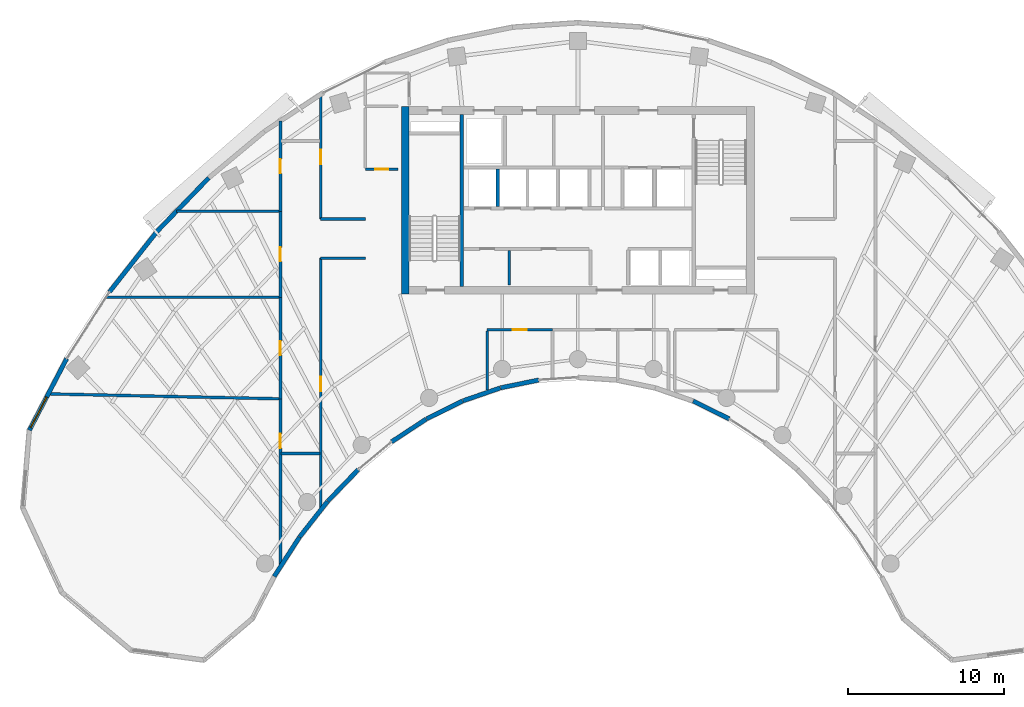
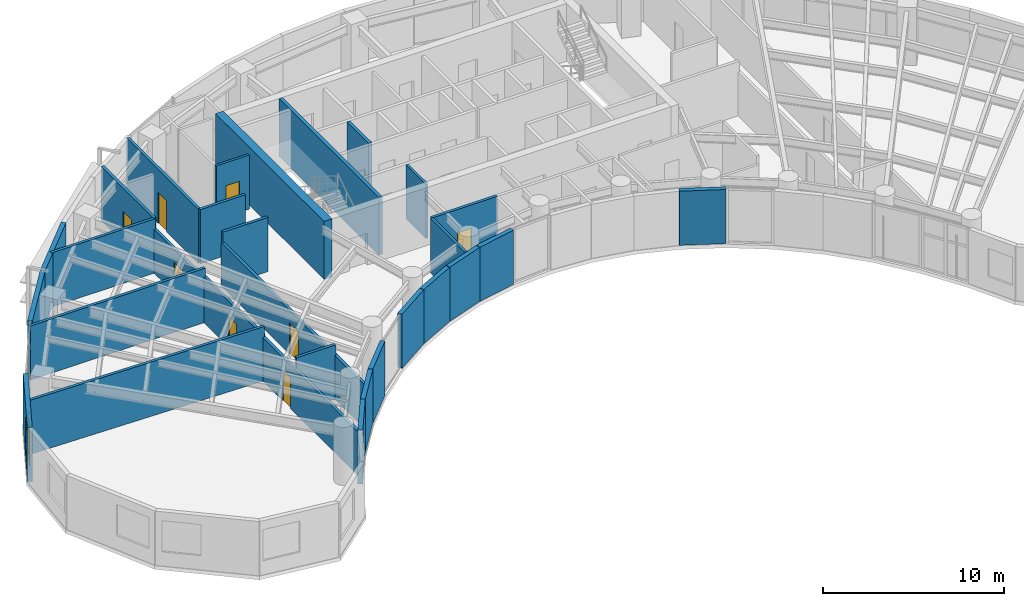
# One storey, part 7 of 13: 30 walls, 8 doors, 1 window, 9 openings.
"""IFC4 building model written with IfcOpenShell, lengths in metres."""

from ifc_helpers import new_model, si_unit, direction, frame, frame_2d, origin, place, context, subcontext, project, spatial, rectangle, extrude, source, transform, mapped, material, layer, layer_set, type_object, type_shapes, element, fill, save


model = new_model("IFC4")

# Units and contexts
model_context = context("Model", 3, precision=1e-05, world=origin(), true_north=direction((0.0, 1.0)))
body_context = subcontext(model_context, "Body", "Model", "MODEL_VIEW")
ifc_project = project(units=[si_unit("LENGTHUNIT", "METRE"), si_unit("AREAUNIT", "SQUARE_METRE"), si_unit("VOLUMEUNIT", "CUBIC_METRE"), si_unit("PLANEANGLEUNIT", "RADIAN"), si_unit("MASSUNIT", "GRAM", prefix="KILO")], contexts=[model_context])

# Site, building, storey
site_placement = place(None, origin())
site = spatial("IfcSite", under=ifc_project, at=site_placement, CompositionType="ELEMENT")
building_placement = place(site_placement, origin())
building = spatial("IfcBuilding", under=site, at=building_placement, Name="Breltana Convention Tower", CompositionType="ELEMENT")
storey_placement = place(building_placement, frame((0.0, 0.0, 166.199951171875)))
storey = spatial("IfcBuildingStorey", under=building, at=storey_placement, Name="L40", CompositionType="ELEMENT", Elevation=166.199951171875)

# Walls
ifc_material_1 = material(Name="Concrete C60/75", Category="concrete")
ifc_layer_1 = layer(ifc_material_1, 0.5, Name="Concrete C60/75")
ifc_layer_set_1 = layer_set([ifc_layer_1], Name="Concrete C60/75")
wall_type_1 = type_object("IfcWallType", Name="SW-CORE-500", PredefinedType="SHEAR", material=ifc_layer_set_1)
shared_shape_1 = source(origin(), body_context, "Body", "SweptSolid", [
    extrude(rectangle(XDim=12.0, YDim=0.5, at=frame_2d((6.0, 0.0))), origin(), (0.0, 0.0, 1.0), 3.900146484375),
])
wall_1_placement = place(storey_placement, frame((36.949951171875, 60.199951171875, 0.0), z_axis=(0.0, 0.0, 1.0), x_axis=(0.0, 1.0, 0.0)))
element("IfcWall", 1, at=wall_1_placement, inside=storey, type_object=wall_type_1, Name="L40 West Core Shear Wall", PredefinedType="SHEAR", context=body_context, shape_type="MappedRepresentation", body=[
    mapped(shared_shape_1, transform((0.0, 0.0, 0.0), scale=1.0)),
])
ifc_material_2 = material(Name="Concrete C50/60", Category="concrete")
ifc_layer_2 = layer(ifc_material_2, 0.39990234375, Name="Concrete C50/60")
ifc_layer_set_2 = layer_set([ifc_layer_2], Name="Concrete C50/60")
wall_type_2 = type_object("IfcWallType", Name="SW-CORE-400", PredefinedType="SHEAR", material=ifc_layer_set_2)
shared_shape_2 = source(origin(), body_context, "Body", "SweptSolid", [
    extrude(rectangle(XDim=11.0, YDim=0.219970703125, at=frame_2d((5.5, 0.0))), origin(), (0.0, 0.0, 1.0), 3.900146484375),
])
wall_2_placement = place(storey_placement, frame((40.580078125, 60.699951171875, 0.0), z_axis=(0.0, 0.0, 1.0), x_axis=(0.0, 1.0, 0.0)))
element("IfcWall", 2, at=wall_2_placement, inside=storey, type_object=wall_type_2, Name="L40 Core West Stair Spine Wall", PredefinedType="SHEAR", context=body_context, shape_type="MappedRepresentation", body=[
    mapped(shared_shape_2, transform((0.0, 0.0, 0.0), scale=1.0)),
])
ifc_material_3 = material(Name="Limestone Buff Insulated Wall", Category="masonry")
ifc_layer_3 = layer(ifc_material_3, 0.280029296875, Name="Limestone Buff Insulated Wall")
ifc_layer_set_3 = layer_set([ifc_layer_3], Name="Limestone Buff Insulated Wall")
wall_type_3 = type_object("IfcWallType", Name="WL-EXT-NOSE-280", PredefinedType="SOLIDWALL", material=ifc_layer_set_3)
shared_shape_3 = source(origin(), body_context, "Body", "SweptSolid", [
    extrude(rectangle(XDim=2.812255859375, YDim=0.280029296875, at=frame_2d((1.40625, 0.0))), origin(), (0.0, 0.0, 1.0), 3.650146484375),
])
wall_3_placement = place(storey_placement, frame((33.945068359375, 48.973388671875, 0.0), z_axis=(0.0, 0.0, 1.0), x_axis=(-0.694583668785, -0.719411931411, 0.0)))
element("IfcWall", 3, at=wall_3_placement, inside=storey, type_object=wall_type_3, Name="L40 curved limestone nose wall E17", PredefinedType="SOLIDWALL", context=body_context, shape_type="MappedRepresentation", body=[
    mapped(shared_shape_3, transform((0.0, 0.0, 0.0), scale=1.0)),
])
shared_shape_4 = source(origin(), body_context, "Body", "SweptSolid", [
    extrude(rectangle(XDim=2.58447265625, YDim=0.280029296875, at=frame_2d((1.292236328125, 0.0))), origin(), (0.0, 0.0, 1.0), 3.650146484375),
])
for number, where, z_axis, x_axis, name in (
    (4, (57.692138671875, 52.21337890625, 0.0), (0.0, 0.0, 1.0), (-0.895989792847, 0.44407464588, 0.0), "L40 curved limestone nose wall E9"),
    (5, (40.62353515625, 53.361083984375, 0.0), (0.0, 0.0, 1.0), (-0.895989792847, -0.44407464588, 0.0), "L40 curved limestone nose wall E15"),
):
    element("IfcWall", number, at=place(storey_placement, frame(where, z_axis=z_axis, x_axis=x_axis)), inside=storey, type_object=wall_type_3, Name=name, PredefinedType="SOLIDWALL", context=body_context, shape_type="MappedRepresentation", body=[
        mapped(shared_shape_4, transform((0.0, 0.0, 0.0), scale=1.0)),
    ])
shared_shape_5 = source(origin(), body_context, "Body", "SweptSolid", [
    extrude(rectangle(XDim=2.52978515625, YDim=0.280029296875, at=frame_2d((1.264892578125, 0.0))), origin(), (0.0, 0.0, 1.0), 3.650146484375),
])
wall_4_placement = place(storey_placement, frame((43.034912109375, 54.1982421875, 0.0), z_axis=(0.0, 0.0, 1.0), x_axis=(-0.944872429646, -0.327438683872, 0.0)))
element("IfcWall", 6, at=wall_4_placement, inside=storey, type_object=wall_type_3, Name="L40 curved limestone nose wall E14", PredefinedType="SOLIDWALL", context=body_context, shape_type="MappedRepresentation", body=[
    mapped(shared_shape_5, transform((0.0, 0.0, 0.0), scale=1.0)),
])
shared_shape_6 = source(origin(), body_context, "Body", "SweptSolid", [
    extrude(rectangle(XDim=2.4912109375, YDim=0.280029296875, at=frame_2d((1.24560546875, 0.0))), origin(), (0.0, 0.0, 1.0), 3.650146484375),
])
wall_5_placement = place(storey_placement, frame((45.498046875, 54.704833984375, 0.0), z_axis=(0.0, 0.0, 1.0), x_axis=(-0.979630885979, -0.200806691214, 0.0)))
element("IfcWall", 7, at=wall_5_placement, inside=storey, type_object=wall_type_3, Name="L40 curved limestone nose wall E13", PredefinedType="SOLIDWALL", context=body_context, shape_type="MappedRepresentation", body=[
    mapped(shared_shape_6, transform((0.0, 0.0, 0.0), scale=1.0)),
])
shared_shape_7 = source(origin(), body_context, "Body", "SweptSolid", [
    extrude(rectangle(XDim=2.65234375, YDim=0.280029296875, at=frame_2d((1.326171875, 0.0))), origin(), (0.0, 0.0, 1.0), 3.650146484375),
])
wall_6_placement = place(storey_placement, frame((38.2890625, 52.202392578125, 0.0), z_axis=(0.0, 0.0, 1.0), x_axis=(-0.836008323535, -0.54871676025, 0.0)))
element("IfcWall", 8, at=wall_6_placement, inside=storey, type_object=wall_type_3, Name="L40 curved limestone nose wall E16", PredefinedType="SOLIDWALL", context=body_context, shape_type="MappedRepresentation", body=[
    mapped(shared_shape_7, transform((0.0, 0.0, 0.0), scale=1.0)),
])
shared_shape_8 = source(origin(), body_context, "Body", "SweptSolid", [
    extrude(rectangle(XDim=2.89697265625, YDim=0.280029296875, at=frame_2d((1.448486328125, 0.0))), origin(), (0.0, 0.0, 1.0), 3.650146484375),
])
wall_7_placement = place(storey_placement, frame((31.9794921875, 46.936279296875, 0.0), z_axis=(0.0, 0.0, 1.0), x_axis=(-0.618167636915, -0.786046291685, 0.0)))
element("IfcWall", 9, at=wall_7_placement, inside=storey, type_object=wall_type_3, Name="L40 curved limestone nose wall E18", PredefinedType="SOLIDWALL", context=body_context, shape_type="MappedRepresentation", body=[
    mapped(shared_shape_8, transform((0.0, 0.0, 0.0), scale=1.0)),
])
shared_shape_9 = source(origin(), body_context, "Body", "SweptSolid", [
    extrude(rectangle(XDim=2.980712890625, YDim=0.280029296875, at=frame_2d((1.490234375, 0.0))), origin(), (0.0, 0.0, 1.0), 3.650146484375),
])
wall_8_placement = place(storey_placement, frame((30.1787109375, 44.64501953125, 0.0), z_axis=(0.0, 0.0, 1.0), x_axis=(-0.540194451908, -0.841540227278, 0.0)))
element("IfcWall", 10, at=wall_8_placement, inside=storey, type_object=wall_type_3, Name="L40 curved limestone nose wall E19", PredefinedType="SOLIDWALL", context=body_context, shape_type="MappedRepresentation", body=[
    mapped(shared_shape_9, transform((0.0, 0.0, 0.0), scale=1.0)),
])

# Wall, opening, window
shared_shape_10 = source(origin(), body_context, "Body", "SweptSolid", [
    extrude(rectangle(XDim=5.1708984375, YDim=0.280029296875, at=frame_2d((2.58544921875, 0.0))), origin(), (0.0, 0.0, 1.0), 3.650146484375),
])
wall_9_placement = place(storey_placement, frame((12.897705078125, 51.48876953125, 0.0), z_axis=(0.0, 0.0, 1.0), x_axis=(0.461752581363, 0.887008767491, 0.0)))
wall_9 = element("IfcWall", 11, at=wall_9_placement, inside=storey, type_object=wall_type_3, Name="L40 curved limestone nose wall W7", PredefinedType="SOLIDWALL", context=body_context, shape_type="MappedRepresentation", body=[
    mapped(shared_shape_10, transform((0.0, 0.0, 0.0), scale=1.0)),
])
opening_1_placement = place(wall_9_placement, frame((0.19287109375, 0.0, 0.949951171875)))
opening_1 = element("IfcOpeningElement", 12, at=opening_1_placement, cuts=wall_9, Name="Opening W-03", PredefinedType="OPENING", context=body_context, shape_type="SweptSolid", body=[
    extrude(rectangle(XDim=2.199951171875, YDim=2.10009765625, at=frame_2d((1.10009765625, 1.050048828125))), frame((0.0, 0.14990234375, 0.0), z_axis=(0.0, -1.0, 0.0), x_axis=(1.0, 0.0, 0.0)), (0.0, 0.0, 1.0), 0.300048828125),
])
ifc_material_4 = material(Name="Glass Low-E Insulated Window", Category="glass")
window_type = type_object("IfcWindowType", Name="WN-NOSE-2200X2100", PartitioningType="TRIPLE_PANEL_VERTICAL", PredefinedType="WINDOW", material=ifc_material_4)
shared_shape_11 = source(origin(), body_context, "Body", "SweptSolid", [
    extrude(rectangle(XDim=2.199951171875, YDim=2.10009765625, at=frame_2d((1.10009765625, 1.050048828125))), frame((0.0, 0.030029296875, 0.0), z_axis=(0.0, -1.0, 0.0), x_axis=(1.0, 0.0, 0.0)), (0.0, 0.0, 1.0), 0.06005859375),
])
type_shapes(window_type, [shared_shape_11])
window_placement = place(opening_1_placement, origin())
window = element("IfcWindow", 13, at=window_placement, inside=storey, type_object=window_type, Name="L40 nose window W7", OverallHeight=2.10009765625, OverallWidth=2.199951171875, PartitioningType="TRIPLE_PANEL_VERTICAL", PredefinedType="WINDOW", context=body_context, shape_type="MappedRepresentation", body=[
    mapped(shared_shape_11, transform((0.0, 0.0, 0.0), scale=1.0)),
])
fill(opening_1, window)

# Walls
shared_shape_12 = source(origin(), body_context, "Body", "SweptSolid", [
    extrude(rectangle(XDim=4.921630859375, YDim=0.280029296875, at=frame_2d((2.4609375, 0.0))), origin(), (0.0, 0.0, 1.0), 3.650146484375),
])
wall_10_placement = place(storey_placement, frame((18.021240234375, 60.337646484375, 0.0), z_axis=(0.0, 0.0, 1.0), x_axis=(0.61817639101, 0.786039407153, 0.0)))
element("IfcWall", 14, at=wall_10_placement, inside=storey, type_object=wall_type_3, Name="L40 curved limestone nose wall E20", PredefinedType="SOLIDWALL", context=body_context, shape_type="MappedRepresentation", body=[
    mapped(shared_shape_12, transform((0.0, 0.0, 0.0), scale=1.0)),
])
shared_shape_13 = source(origin(), body_context, "Body", "SweptSolid", [
    extrude(rectangle(XDim=4.77587890625, YDim=0.280029296875, at=frame_2d((2.387939453125, 0.0))), origin(), (0.0, 0.0, 1.0), 3.650146484375),
])
wall_11_placement = place(storey_placement, frame((21.063720703125, 64.206298828125, 0.0), z_axis=(0.0, 0.0, 1.0), x_axis=(0.694601811851, 0.719394414055, 0.0)))
element("IfcWall", 15, at=wall_11_placement, inside=storey, type_object=wall_type_3, Name="L40 curved limestone nose wall E21", PredefinedType="SOLIDWALL", context=body_context, shape_type="MappedRepresentation", body=[
    mapped(shared_shape_13, transform((0.0, 0.0, 0.0), scale=1.0)),
])
ifc_material_5 = material(Name="Autoclaved Aerated Concrete Block", Category="concrete")
ifc_layer_4 = layer(ifc_material_5, 0.199951171875, Name="Autoclaved Aerated Concrete Block")
ifc_layer_set_4 = layer_set([ifc_layer_4], Name="Autoclaved Aerated Concrete Block")
wall_type_4 = type_object("IfcWallType", Name="WL-SHAFT-200", PredefinedType="SOLIDWALL", material=ifc_layer_set_4)
shared_shape_14 = source(origin(), body_context, "Body", "SweptSolid", [
    extrude(rectangle(XDim=2.39990234375, YDim=0.199951171875, at=frame_2d((1.199951171875, 0.0))), origin(), (0.0, 0.0, 1.0), 3.650146484375),
])
wall_12_placement = place(storey_placement, frame((42.8701171875, 65.800048828125, 0.0), z_axis=(0.0, 0.0, 1.0), x_axis=(0.0, 1.0, 0.0)))
element("IfcWall", 16, at=wall_12_placement, inside=storey, type_object=wall_type_4, Name="L40 interior partition W-L40-SH-M-DIV1", PredefinedType="SOLIDWALL", context=body_context, shape_type="MappedRepresentation", body=[
    mapped(shared_shape_14, transform((0.0, 0.0, 0.0), scale=1.0)),
])

# Wall, opening, door
ifc_material_6 = material(Name="Moisture-Resistant Gypsum Chase Wall")
ifc_layer_5 = layer(ifc_material_6, 0.179931640625, Name="Moisture-Resistant Gypsum Chase Wall")
ifc_layer_set_5 = layer_set([ifc_layer_5], Name="Moisture-Resistant Gypsum Chase Wall")
wall_type_5 = type_object("IfcWallType", Name="WL-PLUMB-180", PredefinedType="PLUMBINGWALL", material=ifc_layer_set_5)
shared_shape_15 = source(origin(), body_context, "Body", "SweptSolid", [
    extrude(rectangle(XDim=4.176025390625, YDim=0.179931640625, at=frame_2d((2.087890625, 0.0))), origin(), (0.0, 0.0, 1.0), 3.650146484375),
])
wall_13_placement = place(storey_placement, frame((42.199951171875, 57.919921875, 0.0), z_axis=(0.0, 0.0, 1.0), x_axis=(1.0, 0.0, 0.0)))
wall_13 = element("IfcWall", 17, at=wall_13_placement, inside=storey, type_object=wall_type_5, Name="L40 interior partition W-L40-WCM-N", PredefinedType="PLUMBINGWALL", context=body_context, shape_type="MappedRepresentation", body=[
    mapped(shared_shape_15, transform((0.0, 0.0, 0.0), scale=1.0)),
])
opening_2_placement = place(wall_13_placement, frame((1.637939453125, 0.0, 0.0)))
opening_2 = element("IfcOpeningElement", 18, at=opening_2_placement, cuts=wall_13, Name="Opening D-19", PredefinedType="OPENING", context=body_context, shape_type="SweptSolid", body=[
    extrude(rectangle(XDim=0.89990234375, YDim=2.080078125, at=frame_2d((0.449951171875, 1.0400390625))), frame((0.0, 0.10009765625, 0.0), z_axis=(0.0, -1.0, 0.0), x_axis=(1.0, 0.0, 0.0)), (0.0, 0.0, 1.0), 0.199951171875),
])
ifc_material_7 = material(Name="Timber Moisture-Resistant Door", Category="wood")
door_type_1 = type_object("IfcDoorType", Name="DR-WC-900", OperationType="NOTDEFINED", PredefinedType="DOOR", material=ifc_material_7)
shared_shape_16 = source(origin(), body_context, "Body", "SweptSolid", [
    extrude(rectangle(XDim=0.89990234375, YDim=2.080078125, at=frame_2d((0.449951171875, 1.0400390625))), frame((0.0, 0.02490234375, 0.0), z_axis=(0.0, -1.0, 0.0), x_axis=(1.0, 0.0, 0.0)), (0.0, 0.0, 1.0), 0.050048828125),
])
type_shapes(door_type_1, [shared_shape_16])
door_1_placement = place(opening_2_placement, origin())
door_1 = element("IfcDoor", 19, at=door_1_placement, inside=storey, type_object=door_type_1, Name="L40 interior door D-L40-WCM", OperationType="SINGLE_SWING_RIGHT", OverallHeight=2.080078125, OverallWidth=0.89990234375, PredefinedType="DOOR", context=body_context, shape_type="MappedRepresentation", body=[
    mapped(shared_shape_16, transform((0.0, 0.0, 0.0), scale=1.0)),
])
fill(opening_2, door_1)

# Walls
ifc_material_8 = material(Name="Cement Board Wet-Area Partition")
ifc_layer_6 = layer(ifc_material_8, 0.175048828125, Name="Cement Board Wet-Area Partition")
ifc_layer_set_6 = layer_set([ifc_layer_6], Name="Cement Board Wet-Area Partition")
wall_type_6 = type_object("IfcWallType", Name="WL-WET-175", PredefinedType="PARTITIONING", material=ifc_layer_set_6)
shared_shape_17 = source(origin(), body_context, "Body", "SweptSolid", [
    extrude(rectangle(XDim=3.7626953125, YDim=0.175048828125, at=frame_2d((1.88134765625, 0.0))), origin(), (0.0, 0.0, 1.0), 3.650146484375),
])
wall_14_placement = place(storey_placement, frame((42.199951171875, 54.07861328125, 0.0), z_axis=(0.0, 0.0, 1.0), x_axis=(0.0, 1.0, 0.0)))
element("IfcWall", 20, at=wall_14_placement, inside=storey, type_object=wall_type_6, Name="L40 interior partition W-L40-WCM-W", PredefinedType="PARTITIONING", context=body_context, shape_type="MappedRepresentation", body=[
    mapped(shared_shape_17, transform((0.0, 0.0, 0.0), scale=1.0)),
])
ifc_material_9 = material(Name="Gypsum Acoustic Drywall Partition")
ifc_layer_7 = layer(ifc_material_9, 0.14990234375, Name="Gypsum Acoustic Drywall Partition")
ifc_layer_set_7 = layer_set([ifc_layer_7], Name="Gypsum Acoustic Drywall Partition")
wall_type_7 = type_object("IfcWallType", Name="WL-PART-150", PredefinedType="PARTITIONING", material=ifc_layer_set_7)
shared_shape_18 = source(origin(), body_context, "Body", "SweptSolid", [
    extrude(rectangle(XDim=2.199951171875, YDim=0.14990234375, at=frame_2d((1.10009765625, 0.0))), origin(), (0.0, 0.0, 1.0), 3.650146484375),
])
wall_15_placement = place(storey_placement, frame((43.60009765625, 60.800048828125, 0.0), z_axis=(0.0, 0.0, 1.0), x_axis=(0.0, 1.0, 0.0)))
element("IfcWall", 21, at=wall_15_placement, inside=storey, type_object=wall_type_7, Name="L40 interior partition W-L40-LV7-B1-DIV", PredefinedType="PARTITIONING", context=body_context, shape_type="MappedRepresentation", body=[
    mapped(shared_shape_18, transform((0.0, 0.0, 0.0), scale=1.0)),
])

# Wall, opening, door
shared_shape_19 = source(origin(), body_context, "Body", "SweptSolid", [
    extrude(rectangle(XDim=2.10009765625, YDim=0.14990234375, at=frame_2d((1.050048828125, 0.0))), origin(), (0.0, 0.0, 1.0), 3.650146484375),
])
wall_16_placement = place(storey_placement, frame((34.39990234375, 68.199951171875, 0.0), z_axis=(0.0, 0.0, 1.0), x_axis=(1.0, 0.0, 0.0)))
wall_16 = element("IfcWall", 22, at=wall_16_placement, inside=storey, type_object=wall_type_7, Name="L40 interior partition W-L40-CRSW-S", PredefinedType="PARTITIONING", context=body_context, shape_type="MappedRepresentation", body=[
    mapped(shared_shape_19, transform((0.0, 0.0, 0.0), scale=1.0)),
])
opening_3_placement = place(wall_16_placement, frame((0.625, 0.0, 0.0)))
opening_3 = element("IfcOpeningElement", 23, at=opening_3_placement, cuts=wall_16, Name="Opening D-20", PredefinedType="OPENING", context=body_context, shape_type="SweptSolid", body=[
    extrude(rectangle(XDim=0.85009765625, YDim=2.10009765625, at=frame_2d((0.425048828125, 1.050048828125))), frame((0.0, 0.0849609375, 0.0), z_axis=(0.0, -1.0, 0.0), x_axis=(1.0, 0.0, 0.0)), (0.0, 0.0, 1.0), 0.169921875),
])
ifc_material_10 = material(Name="Steel Closet Fire Door", Category="steel")
door_type_2 = type_object("IfcDoorType", Name="DR-FD60-850", OperationType="NOTDEFINED", PredefinedType="DOOR", material=ifc_material_10)
shared_shape_20 = source(origin(), body_context, "Body", "SweptSolid", [
    extrude(rectangle(XDim=0.85009765625, YDim=2.10009765625, at=frame_2d((0.425048828125, 1.050048828125))), frame((0.0, 0.02490234375, 0.0), z_axis=(0.0, -1.0, 0.0), x_axis=(1.0, 0.0, 0.0)), (0.0, 0.0, 1.0), 0.050048828125),
])
type_shapes(door_type_2, [shared_shape_20])
door_2_placement = place(opening_3_placement, origin())
door_2 = element("IfcDoor", 24, at=door_2_placement, inside=storey, type_object=door_type_2, Name="L40 interior door D-L40-CRSW", OperationType="SINGLE_SWING_LEFT", OverallHeight=2.10009765625, OverallWidth=0.85009765625, PredefinedType="DOOR", context=body_context, shape_type="MappedRepresentation", body=[
    mapped(shared_shape_20, transform((0.0, 0.0, 0.0), scale=1.0)),
])
fill(opening_3, door_2)

# Wall
shared_shape_21 = source(origin(), body_context, "Body", "SweptSolid", [
    extrude(rectangle(XDim=2.5, YDim=0.179931640625, at=frame_2d((1.25, 0.0))), origin(), (0.0, 0.0, 1.0), 3.650146484375),
])
wall_17_placement = place(storey_placement, frame((29.0, 50.0, 0.0), z_axis=(0.0, 0.0, 1.0), x_axis=(1.0, 0.0, 0.0)))
element("IfcWall", 25, at=wall_17_placement, inside=storey, type_object=wall_type_5, Name="L40 interior partition W-L40-CORNW-S", PredefinedType="PLUMBINGWALL", context=body_context, shape_type="MappedRepresentation", body=[
    mapped(shared_shape_21, transform((0.0, 0.0, 0.0), scale=1.0)),
])

# Wall, opening, door
shared_shape_22 = source(origin(), body_context, "Body", "SweptSolid", [
    extrude(rectangle(XDim=10.735107421875, YDim=0.179931640625, at=frame_2d((5.36767578125, 0.0))), origin(), (0.0, 0.0, 1.0), 2.942138671875),
])
wall_18_placement = place(storey_placement, frame((28.9599609375, 42.764892578125, 0.0), z_axis=(0.0, 0.0, 1.0), x_axis=(0.0, 1.0, 0.0)))
wall_18 = element("IfcWall", 26, at=wall_18_placement, inside=storey, type_object=wall_type_5, Name="L40 interior partition W-L40-ZW1-E", PredefinedType="PLUMBINGWALL", context=body_context, shape_type="MappedRepresentation", body=[
    mapped(shared_shape_22, transform((0.0, 0.0, 0.0), scale=1.0)),
])
opening_4_placement = place(wall_18_placement, frame((7.585205078125, 0.0, 0.0)))
opening_4 = element("IfcOpeningElement", 27, at=opening_4_placement, cuts=wall_18, Name="Opening D-19", PredefinedType="OPENING", context=body_context, shape_type="SweptSolid", body=[
    extrude(rectangle(XDim=0.89990234375, YDim=2.080078125, at=frame_2d((0.449951171875, 1.0400390625))), frame((0.0, 0.10009765625, 0.0), z_axis=(0.0, -1.0, 0.0), x_axis=(1.0, 0.0, 0.0)), (0.0, 0.0, 1.0), 0.199951171875),
])
door_3_placement = place(opening_4_placement, origin())
door_3 = element("IfcDoor", 28, at=door_3_placement, inside=storey, type_object=door_type_1, Name="L40 interior door D-L40-ZW1", OperationType="SINGLE_SWING_RIGHT", OverallHeight=2.080078125, OverallWidth=0.89990234375, PredefinedType="DOOR", context=body_context, shape_type="MappedRepresentation", body=[
    mapped(shared_shape_16, transform((0.0, 0.0, 0.0), scale=1.0)),
])
fill(opening_4, door_3)

# Wall
shared_shape_23 = source(origin(), body_context, "Body", "SweptSolid", [
    extrude(rectangle(XDim=14.720458984375, YDim=0.179931640625, at=frame_2d((7.3603515625, 0.0))), origin(), (0.0, 0.0, 1.0), 3.650146484375),
])
wall_19_placement = place(storey_placement, frame((14.242919921875, 53.81298828125, 0.0), z_axis=(0.0, 0.0, 1.0), x_axis=(0.999773932637, -0.021262258118, 0.0)))
element("IfcWall", 29, at=wall_19_placement, inside=storey, type_object=wall_type_5, Name="L40 interior partition W-L40-ZW1-N", PredefinedType="PLUMBINGWALL", context=body_context, shape_type="MappedRepresentation", body=[
    mapped(shared_shape_23, transform((0.0, 0.0, 0.0), scale=1.0)),
])

# Wall, opening, door
shared_shape_24 = source(origin(), body_context, "Body", "SweptSolid", [
    extrude(rectangle(XDim=6.5, YDim=0.179931640625, at=frame_2d((3.25, 0.0))), origin(), (0.0, 0.0, 1.0), 3.0810546875),
])
wall_20_placement = place(storey_placement, frame((28.9599609375, 53.5, 0.0), z_axis=(0.0, 0.0, 1.0), x_axis=(0.0, 1.0, 0.0)))
wall_20 = element("IfcWall", 30, at=wall_20_placement, inside=storey, type_object=wall_type_5, Name="L40 interior partition W-L40-ZW2-E", PredefinedType="PLUMBINGWALL", context=body_context, shape_type="MappedRepresentation", body=[
    mapped(shared_shape_24, transform((0.0, 0.0, 0.0), scale=1.0)),
])
opening_5_placement = place(wall_20_placement, frame((2.800048828125, 0.0, 0.0)))
opening_5 = element("IfcOpeningElement", 31, at=opening_5_placement, cuts=wall_20, Name="Opening D-19", PredefinedType="OPENING", context=body_context, shape_type="SweptSolid", body=[
    extrude(rectangle(XDim=0.89990234375, YDim=2.080078125, at=frame_2d((0.449951171875, 1.0400390625))), frame((0.0, 0.10009765625, 0.0), z_axis=(0.0, -1.0, 0.0), x_axis=(1.0, 0.0, 0.0)), (0.0, 0.0, 1.0), 0.199951171875),
])
door_4_placement = place(opening_5_placement, origin())
door_4 = element("IfcDoor", 32, at=door_4_placement, inside=storey, type_object=door_type_1, Name="L40 interior door D-L40-ZW2", OperationType="SINGLE_SWING_LEFT", OverallHeight=2.080078125, OverallWidth=0.89990234375, PredefinedType="DOOR", context=body_context, shape_type="MappedRepresentation", body=[
    mapped(shared_shape_16, transform((0.0, 0.0, 0.0), scale=1.0)),
])
fill(opening_5, door_4)

# Wall
shared_shape_25 = source(origin(), body_context, "Body", "SweptSolid", [
    extrude(rectangle(XDim=11.1435546875, YDim=0.179931640625, at=frame_2d((5.57177734375, 0.0))), origin(), (0.0, 0.0, 1.0), 3.650146484375),
])
wall_21_placement = place(storey_placement, frame((17.81640625, 60.0, 0.0), z_axis=(0.0, 0.0, 1.0), x_axis=(1.0, 0.0, 0.0)))
element("IfcWall", 33, at=wall_21_placement, inside=storey, type_object=wall_type_5, Name="L40 interior partition W-L40-ZW2-N", PredefinedType="PLUMBINGWALL", context=body_context, shape_type="MappedRepresentation", body=[
    mapped(shared_shape_25, transform((0.0, 0.0, 0.0), scale=1.0)),
])

# Wall, opening, door
shared_shape_26 = source(origin(), body_context, "Body", "SweptSolid", [
    extrude(rectangle(XDim=5.5, YDim=0.179931640625, at=frame_2d((2.75, 0.0))), origin(), (0.0, 0.0, 1.0), 2.942138671875),
])
wall_22_placement = place(storey_placement, frame((28.9599609375, 60.0, 0.0), z_axis=(0.0, 0.0, 1.0), x_axis=(0.0, 1.0, 0.0)))
wall_22 = element("IfcWall", 34, at=wall_22_placement, inside=storey, type_object=wall_type_5, Name="L40 interior partition W-L40-ZW3-E", PredefinedType="PLUMBINGWALL", context=body_context, shape_type="MappedRepresentation", body=[
    mapped(shared_shape_26, transform((0.0, 0.0, 0.0), scale=1.0)),
])
opening_6_placement = place(wall_22_placement, frame((2.300048828125, 0.0, 0.0)))
opening_6 = element("IfcOpeningElement", 35, at=opening_6_placement, cuts=wall_22, Name="Opening D-19", PredefinedType="OPENING", context=body_context, shape_type="SweptSolid", body=[
    extrude(rectangle(XDim=0.89990234375, YDim=2.080078125, at=frame_2d((0.449951171875, 1.0400390625))), frame((0.0, 0.10009765625, 0.0), z_axis=(0.0, -1.0, 0.0), x_axis=(1.0, 0.0, 0.0)), (0.0, 0.0, 1.0), 0.199951171875),
])
door_5_placement = place(opening_6_placement, origin())
door_5 = element("IfcDoor", 36, at=door_5_placement, inside=storey, type_object=door_type_1, Name="L40 interior door D-L40-ZW3", OperationType="SINGLE_SWING_RIGHT", OverallHeight=2.080078125, OverallWidth=0.89990234375, PredefinedType="DOOR", context=body_context, shape_type="MappedRepresentation", body=[
    mapped(shared_shape_16, transform((0.0, 0.0, 0.0), scale=1.0)),
])
fill(opening_6, door_5)

# Wall
shared_shape_27 = source(origin(), body_context, "Body", "SweptSolid", [
    extrude(rectangle(XDim=6.63330078125, YDim=0.179931640625, at=frame_2d((3.316650390625, 0.0))), origin(), (0.0, 0.0, 1.0), 3.650146484375),
])
wall_23_placement = place(storey_placement, frame((22.32666015625, 65.5, 0.0), z_axis=(0.0, 0.0, 1.0), x_axis=(1.0, 0.0, 0.0)))
element("IfcWall", 37, at=wall_23_placement, inside=storey, type_object=wall_type_5, Name="L40 interior partition W-L40-ZW3-N", PredefinedType="PLUMBINGWALL", context=body_context, shape_type="MappedRepresentation", body=[
    mapped(shared_shape_27, transform((0.0, 0.0, 0.0), scale=1.0)),
])

# Wall, opening, door
shared_shape_28 = source(origin(), body_context, "Body", "SweptSolid", [
    extrude(rectangle(XDim=5.76806640625, YDim=0.179931640625, at=frame_2d((2.884033203125, 0.0))), origin(), (0.0, 0.0, 1.0), 3.650146484375),
])
wall_24_placement = place(storey_placement, frame((28.9599609375, 65.5, 0.0), z_axis=(0.0, 0.0, 1.0), x_axis=(0.0, 1.0, 0.0)))
wall_24 = element("IfcWall", 38, at=wall_24_placement, inside=storey, type_object=wall_type_5, Name="L40 interior partition W-L40-ZW4-E", PredefinedType="PLUMBINGWALL", context=body_context, shape_type="MappedRepresentation", body=[
    mapped(shared_shape_28, transform((0.0, 0.0, 0.0), scale=1.0)),
])
opening_7_placement = place(wall_24_placement, frame((2.43408203125, 0.0, 0.0)))
opening_7 = element("IfcOpeningElement", 39, at=opening_7_placement, cuts=wall_24, Name="Opening D-19", PredefinedType="OPENING", context=body_context, shape_type="SweptSolid", body=[
    extrude(rectangle(XDim=0.89990234375, YDim=2.080078125, at=frame_2d((0.449951171875, 1.0400390625))), frame((0.0, 0.10009765625, 0.0), z_axis=(0.0, -1.0, 0.0), x_axis=(1.0, 0.0, 0.0)), (0.0, 0.0, 1.0), 0.199951171875),
])
door_6_placement = place(opening_7_placement, origin())
door_6 = element("IfcDoor", 40, at=door_6_placement, inside=storey, type_object=door_type_1, Name="L40 interior door D-L40-ZW4", OperationType="SINGLE_SWING_LEFT", OverallHeight=2.080078125, OverallWidth=0.89990234375, PredefinedType="DOOR", context=body_context, shape_type="MappedRepresentation", body=[
    mapped(shared_shape_16, transform((0.0, 0.0, 0.0), scale=1.0)),
])
fill(opening_7, door_6)

shared_shape_29 = source(origin(), body_context, "Body", "SweptSolid", [
    extrude(rectangle(XDim=16.1064453125, YDim=0.179931640625, at=frame_2d((8.05322265625, 0.0))), origin(), (0.0, 0.0, 1.0), 2.942138671875),
])
wall_25_placement = place(storey_placement, frame((31.5400390625, 46.3935546875, 0.0), z_axis=(0.0, 0.0, 1.0), x_axis=(0.0, 1.0, 0.0)))
wall_25 = element("IfcWall", 41, at=wall_25_placement, inside=storey, type_object=wall_type_5, Name="L40 interior partition W-L40-ZMW1-D", PredefinedType="PLUMBINGWALL", context=body_context, shape_type="MappedRepresentation", body=[
    mapped(shared_shape_29, transform((0.0, 0.0, 0.0), scale=1.0)),
])
opening_8_placement = place(wall_25_placement, frame((7.578125, 0.0, 0.0)))
opening_8 = element("IfcOpeningElement", 42, at=opening_8_placement, cuts=wall_25, Name="Opening D-17", PredefinedType="OPENING", context=body_context, shape_type="SweptSolid", body=[
    extrude(rectangle(XDim=0.949951171875, YDim=2.10009765625, at=frame_2d((0.47509765625, 1.050048828125))), frame((0.0, 0.10009765625, 0.0), z_axis=(0.0, -1.0, 0.0), x_axis=(1.0, 0.0, 0.0)), (0.0, 0.0, 1.0), 0.199951171875),
])
ifc_material_11 = material(Name="Timber Oak Veneer Door", Category="wood")
door_type_3 = type_object("IfcDoorType", Name="DR-INT-950", OperationType="NOTDEFINED", PredefinedType="DOOR", material=ifc_material_11)
shared_shape_30 = source(origin(), body_context, "Body", "SweptSolid", [
    extrude(rectangle(XDim=0.949951171875, YDim=2.10009765625, at=frame_2d((0.47509765625, 1.050048828125))), frame((0.0, 0.02490234375, 0.0), z_axis=(0.0, -1.0, 0.0), x_axis=(1.0, 0.0, 0.0)), (0.0, 0.0, 1.0), 0.050048828125),
])
type_shapes(door_type_3, [shared_shape_30])
door_7_placement = place(opening_8_placement, origin())
door_7 = element("IfcDoor", 43, at=door_7_placement, inside=storey, type_object=door_type_3, Name="L40 interior door D-L40-ZMW1", OperationType="SINGLE_SWING_LEFT", OverallHeight=2.10009765625, OverallWidth=0.949951171875, PredefinedType="DOOR", context=body_context, shape_type="MappedRepresentation", body=[
    mapped(shared_shape_30, transform((0.0, 0.0, 0.0), scale=1.0)),
])
fill(opening_8, door_7)

# Walls
shared_shape_31 = source(origin(), body_context, "Body", "SweptSolid", [
    extrude(rectangle(XDim=2.85986328125, YDim=0.179931640625, at=frame_2d((1.429931640625, 0.0))), origin(), (0.0, 0.0, 1.0), 3.650146484375),
])
for number, where, z_axis, x_axis, name in (
    (44, (31.5400390625, 62.5, 0.0), (0.0, 0.0, 1.0), (1.0, 0.0, 0.0), "L40 interior partition W-L40-ZMW1-TN"),
    (45, (31.5400390625, 65.0, 0.0), (0.0, 0.0, 1.0), (1.0, 0.0, 0.0), "L40 interior partition W-L40-ZMW2-TS"),
):
    element("IfcWall", number, at=place(storey_placement, frame(where, z_axis=z_axis, x_axis=x_axis)), inside=storey, type_object=wall_type_5, Name=name, PredefinedType="PLUMBINGWALL", context=body_context, shape_type="MappedRepresentation", body=[
        mapped(shared_shape_31, transform((0.0, 0.0, 0.0), scale=1.0)),
    ])

# Wall, opening, door
shared_shape_32 = source(origin(), body_context, "Body", "SweptSolid", [
    extrude(rectangle(XDim=7.9619140625, YDim=0.179931640625, at=frame_2d((3.98095703125, 0.0))), origin(), (0.0, 0.0, 1.0), 3.650146484375),
])
wall_26_placement = place(storey_placement, frame((31.5400390625, 65.0, 0.0), z_axis=(0.0, 0.0, 1.0), x_axis=(0.0, 1.0, 0.0)))
wall_26 = element("IfcWall", 46, at=wall_26_placement, inside=storey, type_object=wall_type_5, Name="L40 interior partition W-L40-ZMW2-D", PredefinedType="PLUMBINGWALL", context=body_context, shape_type="MappedRepresentation", body=[
    mapped(shared_shape_32, transform((0.0, 0.0, 0.0), scale=1.0)),
])
opening_9_placement = place(wall_26_placement, frame((3.505859375, 0.0, 0.0)))
opening_9 = element("IfcOpeningElement", 47, at=opening_9_placement, cuts=wall_26, Name="Opening D-17", PredefinedType="OPENING", context=body_context, shape_type="SweptSolid", body=[
    extrude(rectangle(XDim=0.949951171875, YDim=2.10009765625, at=frame_2d((0.47509765625, 1.050048828125))), frame((0.0, 0.10009765625, 0.0), z_axis=(0.0, -1.0, 0.0), x_axis=(1.0, 0.0, 0.0)), (0.0, 0.0, 1.0), 0.199951171875),
])
door_8_placement = place(opening_9_placement, origin())
door_8 = element("IfcDoor", 48, at=door_8_placement, inside=storey, type_object=door_type_3, Name="L40 interior door D-L40-ZMW2", OperationType="SINGLE_SWING_RIGHT", OverallHeight=2.10009765625, OverallWidth=0.949951171875, PredefinedType="DOOR", context=body_context, shape_type="MappedRepresentation", body=[
    mapped(shared_shape_30, transform((0.0, 0.0, 0.0), scale=1.0)),
])
fill(opening_9, door_8)

save(model, "model.ifc")
